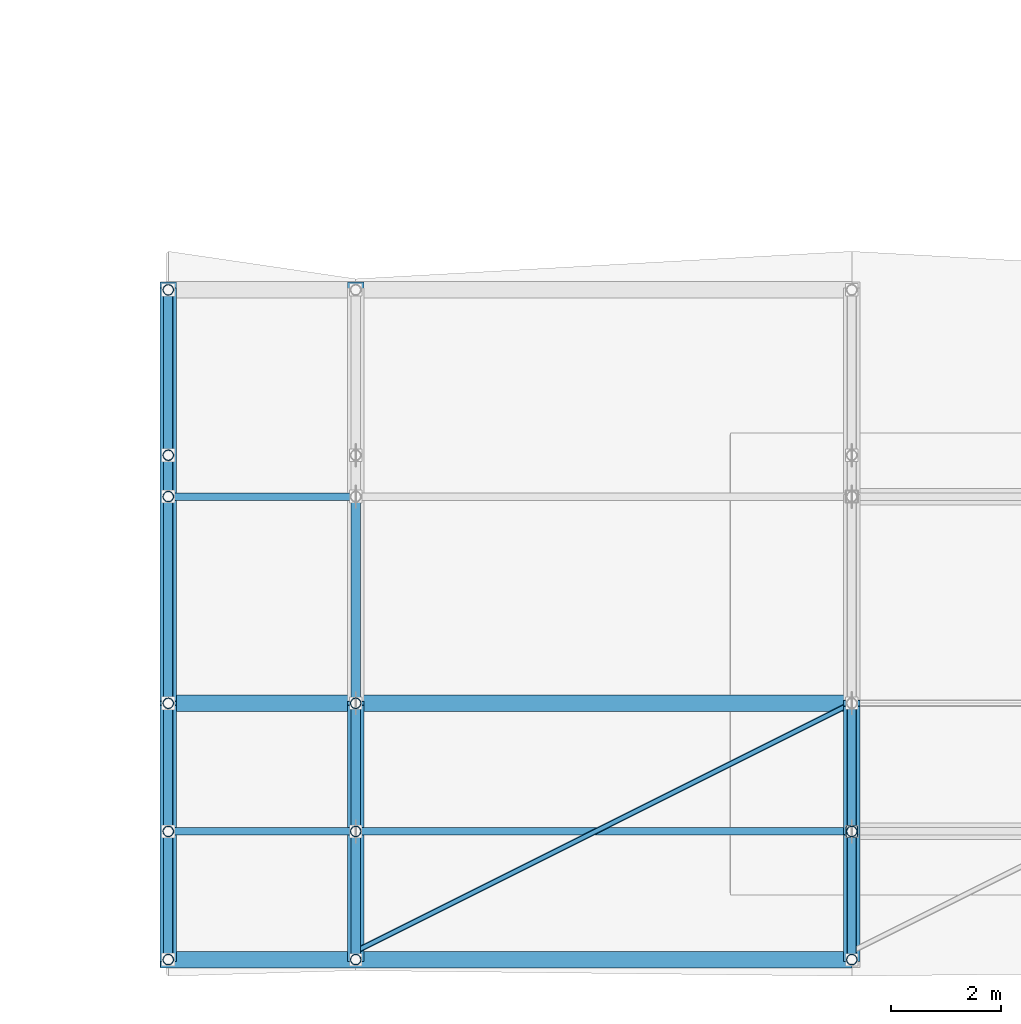
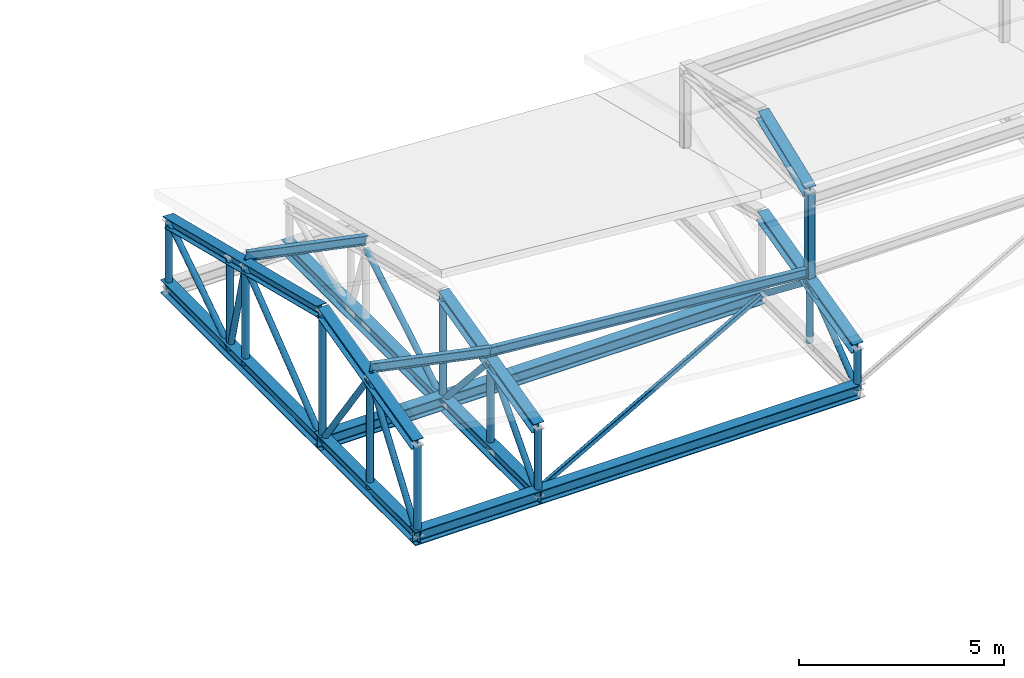
# One storey, part 12 of 55: 31 members, 4 beams.
"""IFC4 building model written with IfcOpenShell, lengths in metres."""

from ifc_helpers import new_model, si_unit, direction, frame, origin, origin_2d, place, context, subcontext, project, spatial, hollow_rectangle, hollow_circle, i_section, extrude, material, material_profile, profile_set, type_object, element, save


model = new_model("IFC4")

# Units and contexts
model_context = context("Model", 3, precision=1e-05, world=origin(), true_north=direction((0.0, 1.0)))
body_context = subcontext(model_context, "Body", "Model", "MODEL_VIEW")
ifc_project = project(units=[si_unit("LENGTHUNIT", "METRE"), si_unit("AREAUNIT", "SQUARE_METRE"), si_unit("VOLUMEUNIT", "CUBIC_METRE"), si_unit("PLANEANGLEUNIT", "RADIAN"), si_unit("MASSUNIT", "GRAM", prefix="KILO")], contexts=[model_context])

# Site, building, storey
site_placement = place(None, origin())
site = spatial("IfcSite", under=ifc_project, at=site_placement, CompositionType="ELEMENT")
building_placement = place(site_placement, origin())
building = spatial("IfcBuilding", under=site, at=building_placement, Name="Bozkorgan Art Gallery", CompositionType="ELEMENT")
storey_placement = place(building_placement, frame((0.0, 0.0, 15.0)))
storey = spatial("IfcBuildingStorey", under=building, at=storey_placement, Name="L03", CompositionType="ELEMENT", Elevation=15.0)

# Beams
ifc_material = material(Name="Steel S355J2", Category="steel")
ifc_material_profile_1 = material_profile(ifc_material, i_section(OverallWidth=0.300048828125, OverallDepth=0.39990234375, WebThickness=0.013427734375, FlangeThickness=0.02392578125, FilletRadius=0.027099609375, at=origin_2d()), Name="HEB 400")
ifc_profile_set_1 = profile_set([ifc_material_profile_1], Name="Steel S355J2")
beam_type = type_object("IfcBeamType", Name="BEAM-TO-32", PredefinedType="BEAM", material=ifc_profile_set_1)
for number, where, z_axis, x_axis, name in (
    (1, (79.4599609375, 1.85009765625, 0.199951171875), (1.0, 0.0, 0.0), (0.0, 1.0, 0.0), "ROOF-V3-MAIN west overhang continuous truss chord 1"),
    (2, (79.4599609375, 6.5, 0.199951171875), (1.0, 0.0, 0.0), (0.0, 1.0, 0.0), "ROOF-V3-MAIN west overhang continuous truss chord 2"),
):
    element("IfcBeam", number, at=place(storey_placement, frame(where, z_axis=z_axis, x_axis=x_axis)), inside=storey, type_object=beam_type, Name=name, PredefinedType="BEAM", context=body_context, shape_type="SweptSolid", body=[
        extrude(i_section(OverallWidth=0.300048828125, OverallDepth=0.39990234375, WebThickness=0.013427734375, FlangeThickness=0.02392578125, FilletRadius=0.027099609375, at=origin_2d()), origin(), (0.0, 0.0, 1.0), 12.5400390625),
    ])
for number, where, z_axis, x_axis, name in (
    (3, (79.60009765625, 1.7099609375, 0.199951171875), (0.0, 1.0, 0.0), (-1.0, 0.0, 0.0), "ROOF-V3-MAIN overhang fascia truss 1 bottom chord"),
    (4, (83.0, 1.7099609375, 0.199951171875), (0.0, 1.0, 0.0), (-1.0, 0.0, 0.0), "ROOF-V3-MAIN roof truss 2 bottom chord"),
):
    element("IfcBeam", number, at=place(storey_placement, frame(where, z_axis=z_axis, x_axis=x_axis)), inside=storey, type_object=beam_type, Name=name, PredefinedType="BEAM", context=body_context, shape_type="SweptSolid", body=[
        extrude(i_section(OverallWidth=0.300048828125, OverallDepth=0.39990234375, WebThickness=0.013427734375, FlangeThickness=0.02392578125, FilletRadius=0.027099609375, at=origin_2d()), origin(), (0.0, 0.0, 1.0), 12.429931640625),
    ])

# Members
ifc_material_profile_2 = material_profile(ifc_material, hollow_rectangle(XDim=0.219970703125, YDim=0.219970703125, WallThickness=0.012451171875, InnerFilletRadius=0.018798828125, OuterFilletRadius=0.03125, at=origin_2d()), Name="SHS 220x220x12.5")
ifc_profile_set_2 = profile_set([ifc_material_profile_2], Name="Steel S355J2")
member_type_1 = type_object("IfcMemberType", Name="MEMBER-CP-34", PredefinedType="POST", material=ifc_profile_set_2)
member_1_placement = place(storey_placement, frame((92.0, 4.175048828125, 2.00634765625), z_axis=(0.0, 0.0, 1.0), x_axis=(1.0, 0.0, 0.0)))
element("IfcMember", 5, at=member_1_placement, inside=storey, type_object=member_type_1, Name="V3 upper clerestory truss post 1S", PredefinedType="POST", context=body_context, shape_type="SweptSolid", body=[
    extrude(hollow_rectangle(XDim=0.219970703125, YDim=0.219970703125, WallThickness=0.012451171875, InnerFilletRadius=0.018798828125, OuterFilletRadius=0.03125, at=origin_2d()), origin(), (0.0, 0.0, 1.0), 2.68798828125),
])
ifc_material_profile_3 = material_profile(ifc_material, hollow_circle(Radius=0.096923828125, WallThickness=0.008056640625, at=origin_2d()), Name="CHS 193.7x8")
ifc_profile_set_3 = profile_set([ifc_material_profile_3], Name="Steel S355J2")
member_type_2 = type_object("IfcMemberType", Name="MEMBER-PO-46", PredefinedType="POST", material=ifc_profile_set_3)
member_2_placement = place(storey_placement, frame((79.60009765625, 1.85009765625, 0.199951171875), z_axis=(0.0, 0.0, 1.0), x_axis=(1.0, 0.0, 0.0)))
element("IfcMember", 6, at=member_2_placement, inside=storey, type_object=member_type_2, Name="ROOF-V3-MAIN roof truss 1 post 0", PredefinedType="POST", context=body_context, shape_type="SweptSolid", body=[
    extrude(hollow_circle(Radius=0.096923828125, WallThickness=0.008056640625, at=origin_2d()), origin(), (0.0, 0.0, 1.0), 2.705322265625),
])
member_3_placement = place(storey_placement, frame((79.60009765625, 4.175048828125, 0.199951171875), z_axis=(0.0, 0.0, 1.0), x_axis=(1.0, 0.0, 0.0)))
element("IfcMember", 7, at=member_3_placement, inside=storey, type_object=member_type_2, Name="ROOF-V3-MAIN roof truss 1 post 1", PredefinedType="POST", context=body_context, shape_type="SweptSolid", body=[
    extrude(hollow_circle(Radius=0.096923828125, WallThickness=0.008056640625, at=origin_2d()), origin(), (0.0, 0.0, 1.0), 3.284912109375),
])
member_4_placement = place(storey_placement, frame((79.60009765625, 6.5, 0.199951171875), z_axis=(0.0, 0.0, 1.0), x_axis=(1.0, 0.0, 0.0)))
element("IfcMember", 8, at=member_4_placement, inside=storey, type_object=member_type_2, Name="ROOF-V3-MAIN roof truss 1 post 2", PredefinedType="POST", context=body_context, shape_type="SweptSolid", body=[
    extrude(hollow_circle(Radius=0.096923828125, WallThickness=0.008056640625, at=origin_2d()), origin(), (0.0, 0.0, 1.0), 3.86474609375),
])
member_5_placement = place(storey_placement, frame((79.60009765625, 10.25, 0.199951171875), z_axis=(0.0, 0.0, 1.0), x_axis=(1.0, 0.0, 0.0)))
element("IfcMember", 9, at=member_5_placement, inside=storey, type_object=member_type_2, Name="ROOF-V3-MAIN roof truss 1 post 3", PredefinedType="POST", context=body_context, shape_type="SweptSolid", body=[
    extrude(hollow_circle(Radius=0.096923828125, WallThickness=0.008056640625, at=origin_2d()), origin(), (0.0, 0.0, 1.0), 2.9296875),
])
member_6_placement = place(storey_placement, frame((79.60009765625, 11.0, 0.199951171875), z_axis=(0.0, 0.0, 1.0), x_axis=(1.0, 0.0, 0.0)))
element("IfcMember", 10, at=member_6_placement, inside=storey, type_object=member_type_2, Name="ROOF-V3-MAIN roof truss 1 post 4", PredefinedType="POST", context=body_context, shape_type="SweptSolid", body=[
    extrude(hollow_circle(Radius=0.096923828125, WallThickness=0.008056640625, at=origin_2d()), origin(), (0.0, 0.0, 1.0), 2.74267578125),
])
member_7_placement = place(storey_placement, frame((79.60009765625, 14.0, 0.199951171875), z_axis=(0.0, 0.0, 1.0), x_axis=(1.0, 0.0, 0.0)))
element("IfcMember", 11, at=member_7_placement, inside=storey, type_object=member_type_2, Name="ROOF-V3-MAIN roof truss 1 post 5", PredefinedType="POST", context=body_context, shape_type="SweptSolid", body=[
    extrude(hollow_circle(Radius=0.096923828125, WallThickness=0.008056640625, at=origin_2d()), origin(), (0.0, 0.0, 1.0), 1.99462890625),
])
ifc_material_profile_4 = material_profile(ifc_material, i_section(OverallWidth=0.135009765625, OverallDepth=0.27001953125, WebThickness=0.006591796875, FlangeThickness=0.01025390625, FilletRadius=0.014892578125, at=origin_2d()), Name="IPE 270")
ifc_profile_set_4 = profile_set([ifc_material_profile_4], Name="Steel S355J2")
member_type_3 = type_object("IfcMemberType", Name="MEMBER-PR-57", PredefinedType="PURLIN", material=ifc_profile_set_4)
for number, where, z_axis, x_axis, name in (
    (12, (79.60009765625, 4.175048828125, 3.77490234375), (0.979472566385, 0.0, -0.201577507918), (0.0, 1.0, 0.0), "ROOF-V3-MAIN roof purlin 1S"),
    (13, (79.60009765625, 10.25, 3.419677734375), (0.979472566385, 0.0, -0.201577507918), (0.0, 1.0, 0.0), "ROOF-V3-MAIN roof purlin 1N"),
):
    element("IfcMember", number, at=place(storey_placement, frame(where, z_axis=z_axis, x_axis=x_axis)), inside=storey, type_object=member_type_3, Name=name, PredefinedType="PURLIN", context=body_context, shape_type="SweptSolid", body=[
        extrude(i_section(OverallWidth=0.135009765625, OverallDepth=0.27001953125, WebThickness=0.006591796875, FlangeThickness=0.01025390625, FilletRadius=0.014892578125, at=origin_2d()), origin(), (0.0, 0.0, 1.0), 3.47119140625),
    ])
member_8_placement = place(storey_placement, frame((83.0, 4.175048828125, 3.0751953125), z_axis=(0.996276805455, 0.0, -0.086212104205), x_axis=(0.0, 1.0, 0.0)))
element("IfcMember", 14, at=member_8_placement, inside=storey, type_object=member_type_3, Name="ROOF-V3-MAIN roof purlin 2S", PredefinedType="PURLIN", context=body_context, shape_type="SweptSolid", body=[
    extrude(i_section(OverallWidth=0.135009765625, OverallDepth=0.27001953125, WebThickness=0.006591796875, FlangeThickness=0.01025390625, FilletRadius=0.014892578125, at=origin_2d()), origin(), (0.0, 0.0, 1.0), 9.03369140625),
])
ifc_material_profile_5 = material_profile(ifc_material, i_section(OverallWidth=0.300048828125, OverallDepth=0.31005859375, WebThickness=0.009033203125, FlangeThickness=0.015380859375, FilletRadius=0.027099609375, at=origin_2d()), Name="HEA 320")
ifc_profile_set_5 = profile_set([ifc_material_profile_5], Name="Steel S355J2")
member_type_4 = type_object("IfcMemberType", Name="MEMBER-TC-13", PredefinedType="CHORD", material=ifc_profile_set_5)
member_9_placement = place(storey_placement, frame((79.60009765625, 1.85009765625, 2.9052734375), z_axis=(0.0, 0.970292152268, 0.241936229713), x_axis=(-1.0, 0.0, 0.0)))
element("IfcMember", 15, at=member_9_placement, inside=storey, type_object=member_type_4, Name="ROOF-V3-MAIN roof truss 1 south top chord", PredefinedType="CHORD", context=body_context, shape_type="SweptSolid", body=[
    extrude(i_section(OverallWidth=0.300048828125, OverallDepth=0.31005859375, WebThickness=0.009033203125, FlangeThickness=0.015380859375, FilletRadius=0.027099609375, at=origin_2d()), origin(), (0.0, 0.0, 1.0), 4.792236328125),
])
member_10_placement = place(storey_placement, frame((79.60009765625, 6.5, 4.064697265625), z_axis=(0.0, 0.970290953223, -0.241941038466), x_axis=(-1.0, 0.0, 0.0)))
element("IfcMember", 16, at=member_10_placement, inside=storey, type_object=member_type_4, Name="ROOF-V3-MAIN roof truss 1 north top chord", PredefinedType="CHORD", context=body_context, shape_type="SweptSolid", body=[
    extrude(i_section(OverallWidth=0.300048828125, OverallDepth=0.31005859375, WebThickness=0.009033203125, FlangeThickness=0.015380859375, FilletRadius=0.027099609375, at=origin_2d()), origin(), (0.0, 0.0, 1.0), 7.729736328125),
])
for number, where, z_axis, x_axis, name in (
    (17, (83.0, 1.85009765625, 2.20556640625), (0.0, 0.970292152268, 0.241936229713), (-1.0, 0.0, 0.0), "ROOF-V3-MAIN roof truss 2 south top chord"),
    (18, (92.0, 1.85009765625, 1.4267578125), (0.0, 0.970292152268, 0.241936229713), (-1.0, 0.0, 0.0), "ROOF-V3-MAIN roof truss 3 south top chord"),
):
    element("IfcMember", number, at=place(storey_placement, frame(where, z_axis=z_axis, x_axis=x_axis)), inside=storey, type_object=member_type_4, Name=name, PredefinedType="CHORD", context=body_context, shape_type="SweptSolid", body=[
        extrude(i_section(OverallWidth=0.300048828125, OverallDepth=0.31005859375, WebThickness=0.009033203125, FlangeThickness=0.015380859375, FilletRadius=0.027099609375, at=origin_2d()), origin(), (0.0, 0.0, 1.0), 4.792236328125),
    ])
member_11_placement = place(storey_placement, frame((92.0, 4.175048828125, 4.6943359375), z_axis=(0.0, 0.931587315796, 0.363517637877), x_axis=(-1.0, 0.0, 0.0)))
element("IfcMember", 19, at=member_11_placement, inside=storey, type_object=member_type_4, Name="V3 stacked upper south chord 1", PredefinedType="CHORD", context=body_context, shape_type="SweptSolid", body=[
    extrude(i_section(OverallWidth=0.300048828125, OverallDepth=0.31005859375, WebThickness=0.009033203125, FlangeThickness=0.015380859375, FilletRadius=0.027099609375, at=origin_2d()), origin(), (0.0, 0.0, 1.0), 2.49560546875),
])
ifc_material_profile_6 = material_profile(ifc_material, hollow_circle(Radius=0.096923828125, WallThickness=0.008056640625, at=origin_2d()), Name="CHS 193.7x8")
ifc_profile_set_6 = profile_set([ifc_material_profile_6], Name="Steel S355J2")
member_type_5 = type_object("IfcMemberType", Name="MEMBER-TP-46", PredefinedType="POST", material=ifc_profile_set_6)
member_12_placement = place(storey_placement, frame((83.0, 1.85009765625, 0.199951171875), z_axis=(0.0, 0.0, 1.0), x_axis=(1.0, 0.0, 0.0)))
element("IfcMember", 20, at=member_12_placement, inside=storey, type_object=member_type_5, Name="ROOF-V3-MAIN roof truss 2 post 0", PredefinedType="POST", context=body_context, shape_type="SweptSolid", body=[
    extrude(hollow_circle(Radius=0.096923828125, WallThickness=0.008056640625, at=origin_2d()), origin(), (0.0, 0.0, 1.0), 2.005615234375),
])
member_13_placement = place(storey_placement, frame((83.0, 4.175048828125, 0.199951171875), z_axis=(0.0, 0.0, 1.0), x_axis=(1.0, 0.0, 0.0)))
element("IfcMember", 21, at=member_13_placement, inside=storey, type_object=member_type_5, Name="ROOF-V3-MAIN roof truss 2 post 1", PredefinedType="POST", context=body_context, shape_type="SweptSolid", body=[
    extrude(hollow_circle(Radius=0.096923828125, WallThickness=0.008056640625, at=origin_2d()), origin(), (0.0, 0.0, 1.0), 2.585205078125),
])
member_14_placement = place(storey_placement, frame((83.0, 6.5, 0.199951171875), z_axis=(0.0, 0.0, 1.0), x_axis=(1.0, 0.0, 0.0)))
element("IfcMember", 22, at=member_14_placement, inside=storey, type_object=member_type_5, Name="ROOF-V3-MAIN roof truss 2 post 2", PredefinedType="POST", context=body_context, shape_type="SweptSolid", body=[
    extrude(hollow_circle(Radius=0.096923828125, WallThickness=0.008056640625, at=origin_2d()), origin(), (0.0, 0.0, 1.0), 3.1650390625),
])
member_15_placement = place(storey_placement, frame((92.0, 1.85009765625, 0.199951171875), z_axis=(0.0, 0.0, 1.0), x_axis=(1.0, 0.0, 0.0)))
element("IfcMember", 23, at=member_15_placement, inside=storey, type_object=member_type_5, Name="ROOF-V3-MAIN roof truss 3 post 0", PredefinedType="POST", context=body_context, shape_type="SweptSolid", body=[
    extrude(hollow_circle(Radius=0.096923828125, WallThickness=0.008056640625, at=origin_2d()), origin(), (0.0, 0.0, 1.0), 1.226806640625),
])
member_16_placement = place(storey_placement, frame((92.0, 4.175048828125, 0.199951171875), z_axis=(0.0, 0.0, 1.0), x_axis=(1.0, 0.0, 0.0)))
element("IfcMember", 24, at=member_16_placement, inside=storey, type_object=member_type_5, Name="ROOF-V3-MAIN roof truss 3 post 1", PredefinedType="POST", context=body_context, shape_type="SweptSolid", body=[
    extrude(hollow_circle(Radius=0.096923828125, WallThickness=0.008056640625, at=origin_2d()), origin(), (0.0, 0.0, 1.0), 1.806396484375),
])
ifc_material_profile_7 = material_profile(ifc_material, hollow_circle(Radius=0.084228515625, WallThickness=0.008056640625, at=origin_2d()), Name="CHS 168.3x8")
ifc_profile_set_7 = profile_set([ifc_material_profile_7], Name="Steel S355J2")
member_type_6 = type_object("IfcMemberType", Name="MEMBER-TW-40", PredefinedType="BRACE", material=ifc_profile_set_7)
for number, where, z_axis, x_axis, name in (
    (25, (79.60009765625, 1.85009765625, 0.199951171875), (0.0, 0.57770927757, 0.81624260524), (-1.0, 0.0, 0.0), "ROOF-V3-MAIN roof truss 1 diagonal 1"),
    (26, (79.60009765625, 4.175048828125, 3.48486328125), (0.0, 0.57770927757, -0.81624260524), (-1.0, 0.0, 0.0), "ROOF-V3-MAIN roof truss 1 diagonal 2"),
):
    element("IfcMember", number, at=place(storey_placement, frame(where, z_axis=z_axis, x_axis=x_axis)), inside=storey, type_object=member_type_6, Name=name, PredefinedType="BRACE", context=body_context, shape_type="SweptSolid", body=[
        extrude(hollow_circle(Radius=0.084228515625, WallThickness=0.008056640625, at=origin_2d()), origin(), (0.0, 0.0, 1.0), 4.0244140625),
    ])
member_17_placement = place(storey_placement, frame((79.60009765625, 6.5, 0.199951171875), z_axis=(0.0, 0.788024373725, 0.615644041972), x_axis=(-1.0, 0.0, 0.0)))
element("IfcMember", 27, at=member_17_placement, inside=storey, type_object=member_type_6, Name="ROOF-V3-MAIN roof truss 1 diagonal 3", PredefinedType="BRACE", context=body_context, shape_type="SweptSolid", body=[
    extrude(hollow_circle(Radius=0.084228515625, WallThickness=0.008056640625, at=origin_2d()), origin(), (0.0, 0.0, 1.0), 4.7587890625),
])
member_18_placement = place(storey_placement, frame((79.60009765625, 10.25, 3.129638671875), z_axis=(0.0, 0.248002410285, -0.968759415176), x_axis=(-1.0, 0.0, 0.0)))
element("IfcMember", 28, at=member_18_placement, inside=storey, type_object=member_type_6, Name="ROOF-V3-MAIN roof truss 1 diagonal 4", PredefinedType="BRACE", context=body_context, shape_type="SweptSolid", body=[
    extrude(hollow_circle(Radius=0.084228515625, WallThickness=0.008056640625, at=origin_2d()), origin(), (0.0, 0.0, 1.0), 3.024169921875),
])
member_19_placement = place(storey_placement, frame((79.60009765625, 11.0, 0.199951171875), z_axis=(0.0, 0.832737763764, 0.553667604977), x_axis=(-1.0, 0.0, 0.0)))
element("IfcMember", 29, at=member_19_placement, inside=storey, type_object=member_type_6, Name="ROOF-V3-MAIN roof truss 1 diagonal 5", PredefinedType="BRACE", context=body_context, shape_type="SweptSolid", body=[
    extrude(hollow_circle(Radius=0.084228515625, WallThickness=0.008056640625, at=origin_2d()), origin(), (0.0, 0.0, 1.0), 3.6025390625),
])
for number, where, z_axis, x_axis, name in (
    (30, (83.0, 1.85009765625, 0.199951171875), (0.0, 0.668689243587, 0.743541993105), (-1.0, 0.0, 0.0), "ROOF-V3-MAIN roof truss 2 diagonal 1"),
    (31, (83.0, 4.175048828125, 2.78515625), (0.0, 0.668689243587, -0.743541993105), (-1.0, 0.0, 0.0), "ROOF-V3-MAIN roof truss 2 diagonal 2"),
):
    element("IfcMember", number, at=place(storey_placement, frame(where, z_axis=z_axis, x_axis=x_axis)), inside=storey, type_object=member_type_6, Name=name, PredefinedType="BRACE", context=body_context, shape_type="SweptSolid", body=[
        extrude(hollow_circle(Radius=0.084228515625, WallThickness=0.008056640625, at=origin_2d()), origin(), (0.0, 0.0, 1.0), 3.476806640625),
    ])
member_20_placement = place(storey_placement, frame((83.0, 6.5, 0.199951171875), z_axis=(0.0, 0.859510641069, 0.511117851271), x_axis=(-1.0, 0.0, 0.0)))
element("IfcMember", 32, at=member_20_placement, inside=storey, type_object=member_type_6, Name="ROOF-V3-MAIN roof truss 2 diagonal 3", PredefinedType="BRACE", context=body_context, shape_type="SweptSolid", body=[
    extrude(hollow_circle(Radius=0.084228515625, WallThickness=0.008056640625, at=origin_2d()), origin(), (0.0, 0.0, 1.0), 4.363037109375),
])
for number, where, z_axis, x_axis, name in (
    (33, (92.0, 1.85009765625, 0.199951171875), (0.0, 0.789664666631, 0.61353868197), (-1.0, 0.0, 0.0), "ROOF-V3-MAIN roof truss 3 diagonal 1"),
    (34, (92.0, 4.175048828125, 2.00634765625), (0.0, 0.789664666631, -0.61353868197), (-1.0, 0.0, 0.0), "ROOF-V3-MAIN roof truss 3 diagonal 2"),
):
    element("IfcMember", number, at=place(storey_placement, frame(where, z_axis=z_axis, x_axis=x_axis)), inside=storey, type_object=member_type_6, Name=name, PredefinedType="BRACE", context=body_context, shape_type="SweptSolid", body=[
        extrude(hollow_circle(Radius=0.084228515625, WallThickness=0.008056640625, at=origin_2d()), origin(), (0.0, 0.0, 1.0), 2.9443359375),
    ])
ifc_material_profile_8 = material_profile(ifc_material, hollow_rectangle(XDim=0.10009765625, YDim=0.14990234375, WallThickness=0.008056640625, InnerFilletRadius=0.011962890625, OuterFilletRadius=0.02001953125, at=origin_2d()), Name="RHS 150x100x8")
ifc_profile_set_8 = profile_set([ifc_material_profile_8], Name="Steel S355J2")
member_type_7 = type_object("IfcMemberType", Name="MEMBER-WB-10", PredefinedType="BRACE", material=ifc_profile_set_8)
member_21_placement = place(storey_placement, frame((83.0, 2.0, 0.199951171875), z_axis=(0.894427191, 0.4472135955, 0.0), x_axis=(-0.4472135955, 0.894427191, 0.0)))
element("IfcMember", 35, at=member_21_placement, inside=storey, type_object=member_type_7, Name="ROOF-V3-MAIN roof diaphragm wind brace 1", PredefinedType="BRACE", context=body_context, shape_type="SweptSolid", body=[
    extrude(hollow_rectangle(XDim=0.10009765625, YDim=0.14990234375, WallThickness=0.008056640625, InnerFilletRadius=0.011962890625, OuterFilletRadius=0.02001953125, at=origin_2d()), origin(), (0.0, 0.0, 1.0), 10.062255859375),
])

save(model, "model.ifc")
